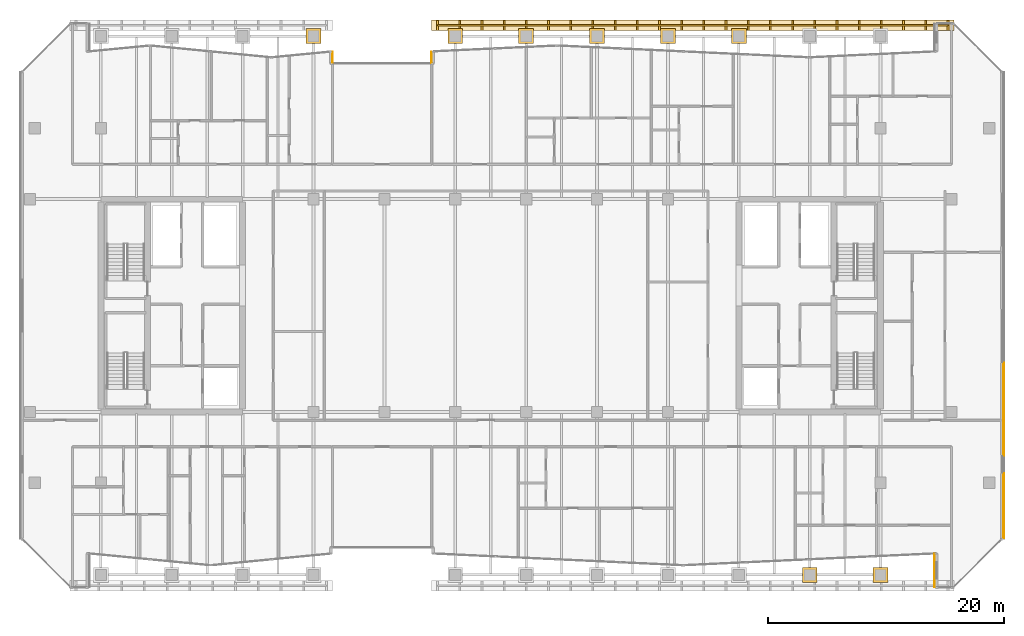
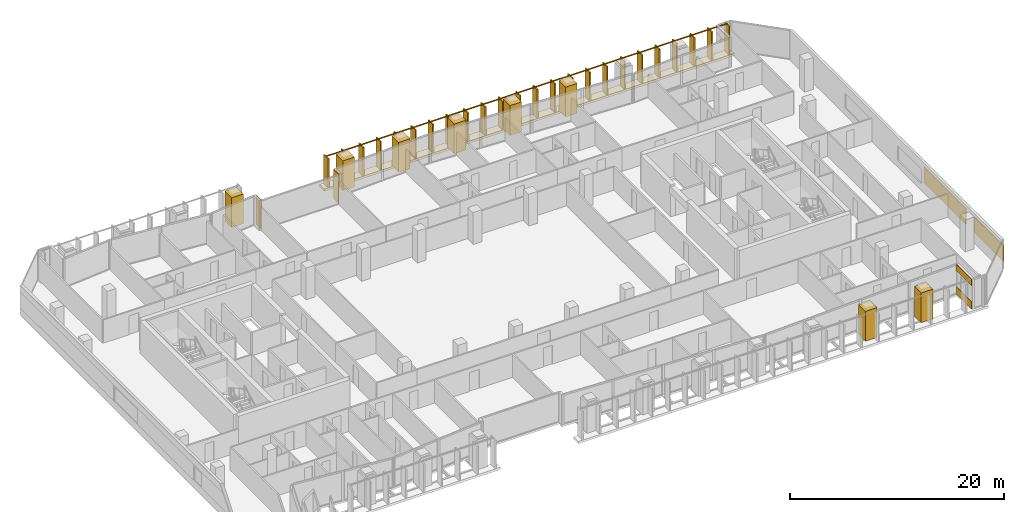
# One storey, part 37 of 39: 15 coverings, 1 railing.
"""IFC4 building model written with IfcOpenShell, lengths in metres."""

from ifc_helpers import new_model, si_unit, direction, frame, origin, origin_2d, place, context, subcontext, project, spatial, rectangle, extrude, material, layer, layer_set, type_object, element, save


model = new_model("IFC4")

# Units and contexts
model_context = context("Model", 3, precision=1e-05, world=origin(), true_north=direction((0.0, 1.0)))
body_context = subcontext(model_context, "Body", "Model", "MODEL_VIEW")
ifc_project = project(units=[si_unit("LENGTHUNIT", "METRE"), si_unit("AREAUNIT", "SQUARE_METRE"), si_unit("VOLUMEUNIT", "CUBIC_METRE"), si_unit("PLANEANGLEUNIT", "RADIAN"), si_unit("MASSUNIT", "GRAM", prefix="KILO")], contexts=[model_context])

# Site, building, storey
site_placement = place(None, origin())
site = spatial("IfcSite", under=ifc_project, at=site_placement, CompositionType="ELEMENT")
building_placement = place(site_placement, origin())
building = spatial("IfcBuilding", under=site, at=building_placement, Name="Tanjung Sevakor Pilgrim Tower", CompositionType="ELEMENT")
storey_placement = place(building_placement, frame((0.0, 0.0, 112.199951171875)))
storey = spatial("IfcBuildingStorey", under=building, at=storey_placement, Name="L31", CompositionType="ELEMENT", Elevation=112.199951171875)

# Coverings
ifc_material_1 = material(Name="Reconstructed Limestone Cladding", Category="masonry")
ifc_layer = layer(ifc_material_1, 0.044921875)
ifc_layer_set = layer_set([ifc_layer], Name="COV-CLAD-LIMESTONE")
covering_type = type_object("IfcCoveringType", Name="COV-CLAD-LIMESTONE", PredefinedType="CLADDING", material=ifc_layer_set)
covering_1_placement = place(storey_placement, frame((94.577392578125, 11.16796875, 0.009765625), z_axis=(0.0, 0.0, 1.0), x_axis=(0.0, -1.0, 0.0)))
element("IfcCovering", 1, at=covering_1_placement, inside=storey, type_object=covering_type, Name="L31 Warm Limestone Sill Spandrel EW-L31-MAIN-14-1", PredefinedType="CLADDING", context=body_context, shape_type="SweptSolid", body=[
    extrude(rectangle(XDim=2.805908203125, YDim=0.044921875, at=origin_2d()), origin(), (0.0, 0.0, 1.0), 0.840087890625),
])
covering_2_placement = place(storey_placement, frame((94.577392578125, 11.16796875, 2.66015625), z_axis=(0.0, 0.0, 1.0), x_axis=(0.0, -1.0, 0.0)))
element("IfcCovering", 2, at=covering_2_placement, inside=storey, type_object=covering_type, Name="L31 Warm Limestone Cornice Spandrel EW-L31-MAIN-14", PredefinedType="CLADDING", context=body_context, shape_type="SweptSolid", body=[
    extrude(rectangle(XDim=2.845947265625, YDim=0.044921875, at=origin_2d()), origin(), (0.0, 0.0, 1.0), 0.739990234375),
])
covering_3_placement = place(storey_placement, frame((100.422607421875, 16.648681640625, 0.85009765625), z_axis=(0.0, 0.0, 1.0), x_axis=(0.0, 1.0, 0.0)))
element("IfcCovering", 3, at=covering_3_placement, inside=storey, type_object=covering_type, Name="L31 Warm Limestone Pier Panel EW-L31-MAIN-17-1", PredefinedType="CLADDING", context=body_context, shape_type="SweptSolid", body=[
    extrude(rectangle(XDim=5.51416015625, YDim=0.044921875, at=origin_2d()), origin(), (0.0, 0.0, 1.0), 1.81005859375),
])
covering_4_placement = place(storey_placement, frame((100.422607421875, 24.8330078125, 0.85009765625), z_axis=(0.0, 0.0, 1.0), x_axis=(0.0, 1.0, 0.0)))
element("IfcCovering", 4, at=covering_4_placement, inside=storey, type_object=covering_type, Name="L31 Warm Limestone Pier Panel EW-L31-MAIN-17-2", PredefinedType="CLADDING", context=body_context, shape_type="SweptSolid", body=[
    extrude(rectangle(XDim=7.85400390625, YDim=0.044921875, at=origin_2d()), origin(), (0.0, 0.0, 1.0), 1.81005859375),
])
covering_5_placement = place(storey_placement, frame((51.9775390625, 54.587890625, 0.02001953125), z_axis=(0.0, 0.0, 1.0), x_axis=(0.0, -1.0, 0.0)))
element("IfcCovering", 5, at=covering_5_placement, inside=storey, type_object=covering_type, Name="L31 Warm Limestone Wall Cladding EW-L31-MAIN-25", PredefinedType="CLADDING", context=body_context, shape_type="SweptSolid", body=[
    extrude(rectangle(XDim=0.985595703125, YDim=0.044921875, at=origin_2d()), origin(), (0.0, 0.0, 1.0), 3.3701171875),
])
covering_6_placement = place(storey_placement, frame((43.62255859375, 54.57861328125, 0.02001953125), z_axis=(0.0, 0.0, 1.0), x_axis=(0.0, 1.0, 0.0)))
element("IfcCovering", 6, at=covering_6_placement, inside=storey, type_object=covering_type, Name="L31 Warm Limestone Wall Cladding EW-L31-MAIN-27", PredefinedType="CLADDING", context=body_context, shape_type="SweptSolid", body=[
    extrude(rectangle(XDim=0.96728515625, YDim=0.044921875, at=origin_2d()), origin(), (0.0, 0.0, 1.0), 3.3701171875),
])
for number, where, z_axis, x_axis, name in (
    (7, (42.0, 56.39990234375, 0.01025390625), (0.0, 0.0, 1.0), (1.0, 0.0, 0.0), "L31 Colonnade Pier Limestone Casing 32"),
    (8, (54.0, 56.39990234375, 0.01025390625), (0.0, 0.0, 1.0), (1.0, 0.0, 0.0), "L31 Colonnade Pier Limestone Casing 34"),
    (9, (60.0, 56.39990234375, 0.01025390625), (0.0, 0.0, 1.0), (1.0, 0.0, 0.0), "L31 Colonnade Pier Limestone Casing 36"),
    (10, (66.0, 56.39990234375, 0.01025390625), (0.0, 0.0, 1.0), (1.0, 0.0, 0.0), "L31 Colonnade Pier Limestone Casing 38"),
    (11, (72.0, 56.39990234375, 0.01025390625), (0.0, 0.0, 1.0), (1.0, 0.0, 0.0), "L31 Colonnade Pier Limestone Casing 40"),
    (12, (78.0, 56.39990234375, 0.01025390625), (0.0, 0.0, 1.0), (1.0, 0.0, 0.0), "L31 Colonnade Pier Limestone Casing 42"),
    (13, (84.0, 10.800048828125, 0.01025390625), (0.0, 0.0, 1.0), (1.0, 0.0, 0.0), "L31 Colonnade Pier Limestone Casing 43"),
    (14, (90.0, 10.800048828125, 0.01025390625), (0.0, 0.0, 1.0), (1.0, 0.0, 0.0), "L31 Colonnade Pier Limestone Casing 45"),
):
    element("IfcCovering", number, at=place(storey_placement, frame(where, z_axis=z_axis, x_axis=x_axis)), inside=storey, type_object=covering_type, Name=name, PredefinedType="CLADDING", context=body_context, shape_type="SweptSolid", body=[
        extrude(rectangle(XDim=1.260009765625, YDim=1.260009765625, at=origin_2d()), origin(), (0.0, 0.0, 1.0), 3.389892578125),
    ])
covering_7_placement = place(storey_placement, frame((74.10009765625, 57.320068359375, -0.25), z_axis=(0.0, 0.0, 1.0), x_axis=(1.0, 0.0, 0.0)))
element("IfcCovering", 15, at=covering_7_placement, inside=storey, type_object=covering_type, Name="L31 S-Curve Outer Fin Tie Sill NE", PredefinedType="CLADDING", context=body_context, shape_type="SweptSolid", body=[
    extrude(rectangle(XDim=44.199951171875, YDim=0.89990234375, at=origin_2d()), origin(), (0.0, 0.0, 1.0), 0.260009765625),
])

# Railing
ifc_material_2 = material(Name="Anodised Bronze Aluminium 6063-T6", Category="aluminium")
railing_type = type_object("IfcRailingType", Name="RL-FIN-SCREEN", PredefinedType="BALUSTRADE", material=ifc_material_2)
railing_placement = place(storey_placement, frame((52.5, 57.320068359375, 0.0)))
element("IfcRailing", 16, at=railing_placement, inside=storey, type_object=railing_type, Name="L31 Vertical Bronze-Gold Solar Fin Screen FN-SCGAP-L31-NE-1", PredefinedType="BALUSTRADE", context=body_context, shape_type="SweptSolid", body=[
    extrude(rectangle(XDim=0.105, YDim=0.105), frame((0.0, 0.0, 3.317626953125), z_axis=(1.0, 0.0, 0.0), x_axis=(0.0, 1.0, 0.0)), (0.0, 0.0, 1.0), 43.199951171875),
    extrude(rectangle(XDim=0.14, YDim=0.85), origin(), (0.0, 0.0, 1.0), 3.26513671875),
    extrude(rectangle(XDim=0.14, YDim=0.85), frame((1.878173828125, 0.0, 0.0)), (0.0, 0.0, 1.0), 3.26513671875),
    extrude(rectangle(XDim=0.14, YDim=0.85), frame((3.756591796875, 0.0, 0.0)), (0.0, 0.0, 1.0), 3.26513671875),
    extrude(rectangle(XDim=0.14, YDim=0.85), frame((5.634765625, 0.0, 0.0)), (0.0, 0.0, 1.0), 3.26513671875),
    extrude(rectangle(XDim=0.14, YDim=0.85), frame((7.512939453125, 0.0, 0.0)), (0.0, 0.0, 1.0), 3.26513671875),
    extrude(rectangle(XDim=0.14, YDim=0.85), frame((9.391357421875, 0.0, 0.0)), (0.0, 0.0, 1.0), 3.26513671875),
    extrude(rectangle(XDim=0.14, YDim=0.85), frame((11.26953125, 0.0, 0.0)), (0.0, 0.0, 1.0), 3.26513671875),
    extrude(rectangle(XDim=0.14, YDim=0.85), frame((13.147705078125, 0.0, 0.0)), (0.0, 0.0, 1.0), 3.26513671875),
    extrude(rectangle(XDim=0.14, YDim=0.85), frame((15.026123046875, 0.0, 0.0)), (0.0, 0.0, 1.0), 3.26513671875),
    extrude(rectangle(XDim=0.14, YDim=0.85), frame((16.904296875, 0.0, 0.0)), (0.0, 0.0, 1.0), 3.26513671875),
    extrude(rectangle(XDim=0.14, YDim=0.85), frame((18.782470703125, 0.0, 0.0)), (0.0, 0.0, 1.0), 3.26513671875),
    extrude(rectangle(XDim=0.14, YDim=0.85), frame((20.660888671875, 0.0, 0.0)), (0.0, 0.0, 1.0), 3.26513671875),
    extrude(rectangle(XDim=0.14, YDim=0.85), frame((22.5390625, 0.0, 0.0)), (0.0, 0.0, 1.0), 3.26513671875),
    extrude(rectangle(XDim=0.14, YDim=0.85), frame((24.41748046875, 0.0, 0.0)), (0.0, 0.0, 1.0), 3.26513671875),
    extrude(rectangle(XDim=0.14, YDim=0.85), frame((26.295654296875, 0.0, 0.0)), (0.0, 0.0, 1.0), 3.26513671875),
    extrude(rectangle(XDim=0.14, YDim=0.85), frame((28.173828125, 0.0, 0.0)), (0.0, 0.0, 1.0), 3.26513671875),
    extrude(rectangle(XDim=0.14, YDim=0.85), frame((30.05224609375, 0.0, 0.0)), (0.0, 0.0, 1.0), 3.26513671875),
    extrude(rectangle(XDim=0.14, YDim=0.85), frame((31.930419921875, 0.0, 0.0)), (0.0, 0.0, 1.0), 3.26513671875),
    extrude(rectangle(XDim=0.14, YDim=0.85), frame((33.80859375, 0.0, 0.0)), (0.0, 0.0, 1.0), 3.26513671875),
    extrude(rectangle(XDim=0.14, YDim=0.85), frame((35.68701171875, 0.0, 0.0)), (0.0, 0.0, 1.0), 3.26513671875),
    extrude(rectangle(XDim=0.14, YDim=0.85), frame((37.565185546875, 0.0, 0.0)), (0.0, 0.0, 1.0), 3.26513671875),
    extrude(rectangle(XDim=0.14, YDim=0.85), frame((39.443359375, 0.0, 0.0)), (0.0, 0.0, 1.0), 3.26513671875),
    extrude(rectangle(XDim=0.14, YDim=0.85), frame((41.32177734375, 0.0, 0.0)), (0.0, 0.0, 1.0), 3.26513671875),
    extrude(rectangle(XDim=0.14, YDim=0.85), frame((43.199951171875, 0.0, 0.0)), (0.0, 0.0, 1.0), 3.26513671875),
])

save(model, "model.ifc")
